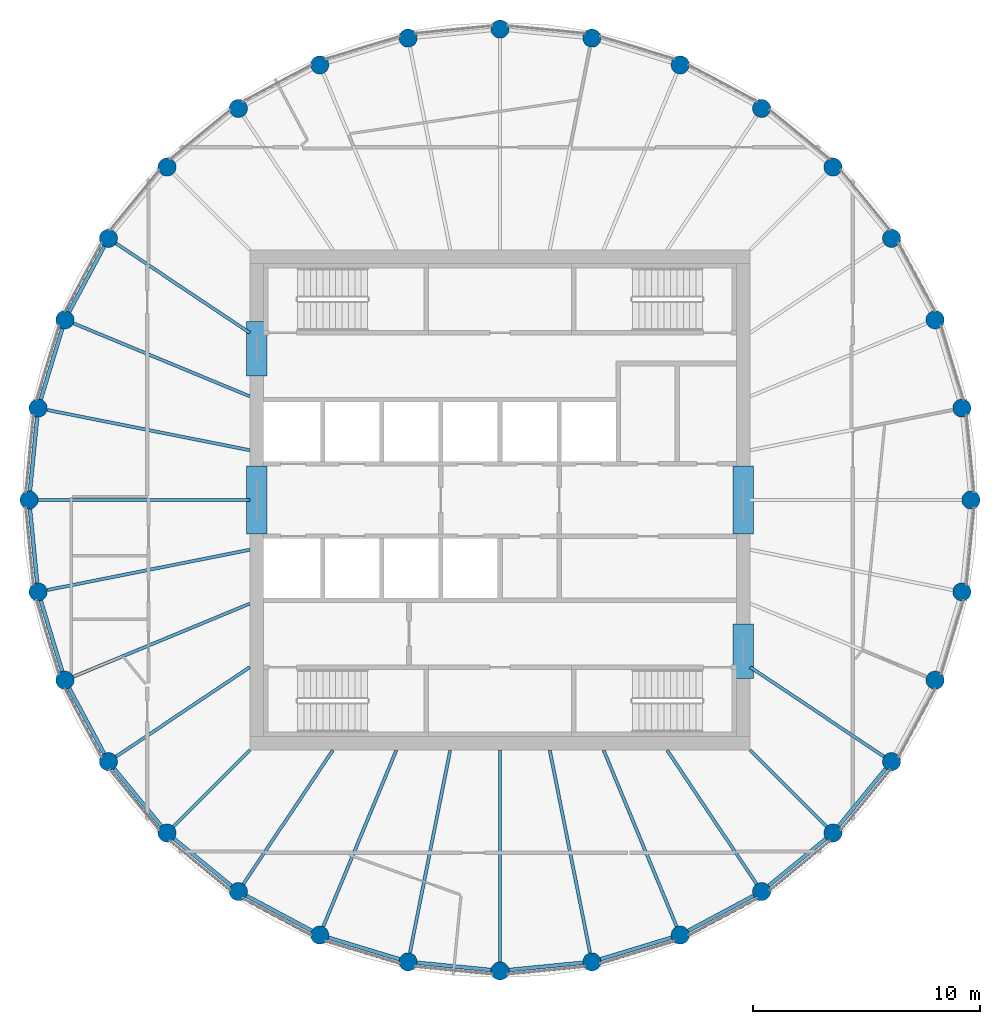
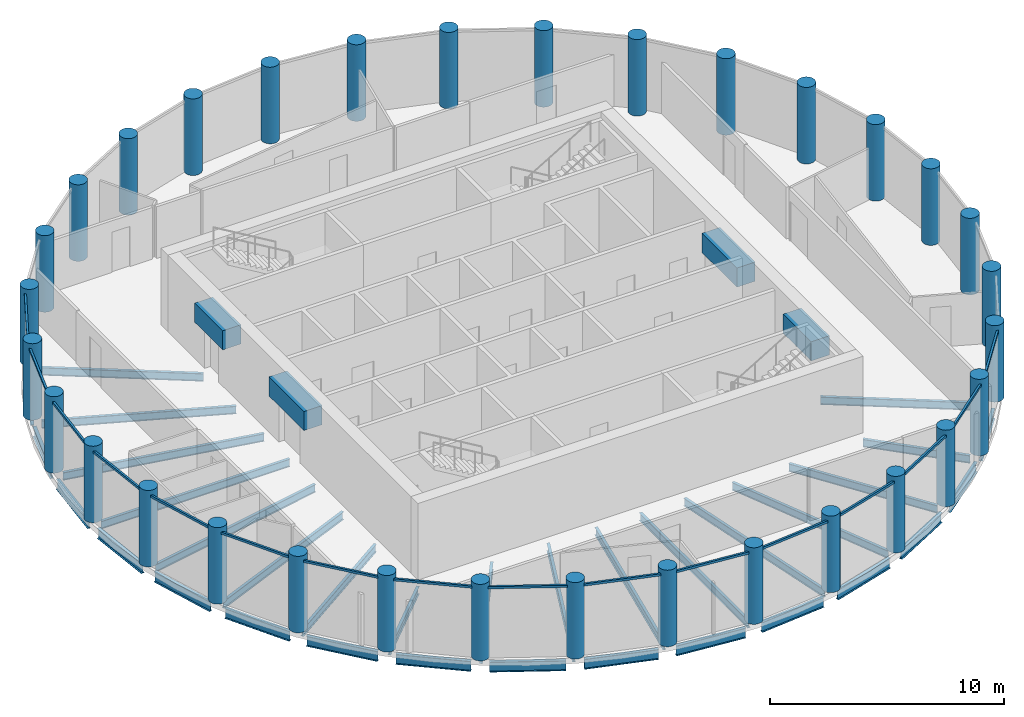
# One storey, part 1 of 7: 37 beams, 32 columns, 16 members, 16 elements without a shape of their own.
"""IFC4 building model written with IfcOpenShell, lengths in metres."""

from ifc_helpers import new_model, si_unit, direction, frame, origin, origin_2d, place, context, subcontext, project, spatial, rectangle, circle, i_section, extrude, material, material_profile, profile_set, type_object, element, aggregate, save


model = new_model("IFC4")

# Units and contexts
model_context = context("Model", 3, precision=1e-05, world=origin(), true_north=direction((0.0, 1.0)))
body_context = subcontext(model_context, "Body", "Model", "MODEL_VIEW")
ifc_project = project(units=[si_unit("LENGTHUNIT", "METRE"), si_unit("AREAUNIT", "SQUARE_METRE"), si_unit("VOLUMEUNIT", "CUBIC_METRE"), si_unit("PLANEANGLEUNIT", "RADIAN"), si_unit("MASSUNIT", "GRAM", prefix="KILO")], contexts=[model_context])

# Site, building, storey
site_placement = place(None, origin())
site = spatial("IfcSite", under=ifc_project, at=site_placement, CompositionType="ELEMENT")
building_placement = place(site_placement, origin())
building = spatial("IfcBuilding", under=site, at=building_placement, Name="Corvane Civic Tower", CompositionType="ELEMENT")
storey_placement = place(building_placement, frame((0.0, 0.0, 344.5)))
storey = spatial("IfcBuildingStorey", under=building, at=storey_placement, Name="L82", CompositionType="ELEMENT", Elevation=344.5)

# Columns
ifc_material_1 = material(Name="Concrete C60/75", Category="concrete")
ifc_material_profile_1 = material_profile(ifc_material_1, circle(Radius=0.39990234375, at=origin_2d()), Name="COLUMN 800")
ifc_profile_set_1 = profile_set([ifc_material_profile_1], Name="Concrete C60/75")
column_type = type_object("IfcColumnType", Name="RC COLUMN COLUMN 800", PredefinedType="COLUMN", material=ifc_profile_set_1)
for number, where, z_axis, x_axis, name in (
    (1, (0.0, 20.699951171875, 0.0), (0.0, 0.0, 1.0), (1.0, 0.0, 0.0), "COL-L82-F01"),
    (2, (4.038330078125, 20.30224609375, 0.0), (0.0, 0.0, 1.0), (1.0, 0.0, 0.0), "COL-L82-F02"),
    (3, (7.921630859375, 19.124267578125, 0.0), (0.0, 0.0, 1.0), (1.0, 0.0, 0.0), "COL-L82-F03"),
    (4, (11.500244140625, 17.21142578125, 0.0), (0.0, 0.0, 1.0), (1.0, 0.0, 0.0), "COL-L82-F04"),
    (5, (14.63720703125, 14.63720703125, 0.0), (0.0, 0.0, 1.0), (1.0, 0.0, 0.0), "COL-L82-F05"),
    (6, (17.21142578125, 11.500244140625, 0.0), (0.0, 0.0, 1.0), (1.0, 0.0, 0.0), "COL-L82-F06"),
    (7, (19.124267578125, 7.921630859375, 0.0), (0.0, 0.0, 1.0), (1.0, 0.0, 0.0), "COL-L82-F07"),
    (8, (20.30224609375, 4.038330078125, 0.0), (0.0, 0.0, 1.0), (1.0, 0.0, 0.0), "COL-L82-F08"),
    (9, (20.699951171875, 0.0, 0.0), (0.0, 0.0, 1.0), (1.0, 0.0, 0.0), "COL-L82-F09"),
    (10, (20.30224609375, -4.038330078125, 0.0), (0.0, 0.0, 1.0), (1.0, 0.0, 0.0), "COL-L82-F10"),
    (11, (19.124267578125, -7.921630859375, 0.0), (0.0, 0.0, 1.0), (1.0, 0.0, 0.0), "COL-L82-F11"),
    (12, (17.21142578125, -11.500244140625, 0.0), (0.0, 0.0, 1.0), (1.0, 0.0, 0.0), "COL-L82-F12"),
    (13, (14.63720703125, -14.63720703125, 0.0), (0.0, 0.0, 1.0), (1.0, 0.0, 0.0), "COL-L82-F13"),
    (14, (11.500244140625, -17.21142578125, 0.0), (0.0, 0.0, 1.0), (1.0, 0.0, 0.0), "COL-L82-F14"),
    (15, (7.921630859375, -19.124267578125, 0.0), (0.0, 0.0, 1.0), (1.0, 0.0, 0.0), "COL-L82-F15"),
    (16, (4.038330078125, -20.30224609375, 0.0), (0.0, 0.0, 1.0), (1.0, 0.0, 0.0), "COL-L82-F16"),
    (17, (0.0, -20.699951171875, 0.0), (0.0, 0.0, 1.0), (1.0, 0.0, 0.0), "COL-L82-F17"),
    (18, (-4.038330078125, -20.30224609375, 0.0), (0.0, 0.0, 1.0), (1.0, 0.0, 0.0), "COL-L82-F18"),
    (19, (-7.921630859375, -19.124267578125, 0.0), (0.0, 0.0, 1.0), (1.0, 0.0, 0.0), "COL-L82-F19"),
    (20, (-11.500244140625, -17.21142578125, 0.0), (0.0, 0.0, 1.0), (1.0, 0.0, 0.0), "COL-L82-F20"),
    (21, (-14.63720703125, -14.63720703125, 0.0), (0.0, 0.0, 1.0), (1.0, 0.0, 0.0), "COL-L82-F21"),
    (22, (-17.21142578125, -11.500244140625, 0.0), (0.0, 0.0, 1.0), (1.0, 0.0, 0.0), "COL-L82-F22"),
    (23, (-19.124267578125, -7.921630859375, 0.0), (0.0, 0.0, 1.0), (1.0, 0.0, 0.0), "COL-L82-F23"),
    (24, (-20.30224609375, -4.038330078125, 0.0), (0.0, 0.0, 1.0), (1.0, 0.0, 0.0), "COL-L82-F24"),
    (25, (-20.699951171875, 0.0, 0.0), (0.0, 0.0, 1.0), (1.0, 0.0, 0.0), "COL-L82-F25"),
    (26, (-20.30224609375, 4.038330078125, 0.0), (0.0, 0.0, 1.0), (1.0, 0.0, 0.0), "COL-L82-F26"),
    (27, (-19.124267578125, 7.921630859375, 0.0), (0.0, 0.0, 1.0), (1.0, 0.0, 0.0), "COL-L82-F27"),
    (28, (-17.21142578125, 11.500244140625, 0.0), (0.0, 0.0, 1.0), (1.0, 0.0, 0.0), "COL-L82-F28"),
    (29, (-14.63720703125, 14.63720703125, 0.0), (0.0, 0.0, 1.0), (1.0, 0.0, 0.0), "COL-L82-F29"),
    (30, (-11.500244140625, 17.21142578125, 0.0), (0.0, 0.0, 1.0), (1.0, 0.0, 0.0), "COL-L82-F30"),
    (31, (-7.921630859375, 19.124267578125, 0.0), (0.0, 0.0, 1.0), (1.0, 0.0, 0.0), "COL-L82-F31"),
    (32, (-4.038330078125, 20.30224609375, 0.0), (0.0, 0.0, 1.0), (1.0, 0.0, 0.0), "COL-L82-F32"),
):
    element("IfcColumn", number, at=place(storey_placement, frame(where, z_axis=z_axis, x_axis=x_axis)), inside=storey, type_object=column_type, Name=name, PredefinedType="COLUMN", context=body_context, shape_type="SweptSolid", body=[
        extrude(circle(Radius=0.39990234375, at=origin_2d()), origin(), (0.0, 0.0, 1.0), 4.0),
    ])

# Beams
ifc_material_2 = material(Name="Concrete C40/50", Category="concrete")
ifc_material_profile_2 = material_profile(ifc_material_2, rectangle(XDim=0.89990234375, YDim=1.0, at=origin_2d()), Name="COUPLING BEAM 900X1000")
ifc_profile_set_2 = profile_set([ifc_material_profile_2], Name="Concrete C40/50")
beam_type_1 = type_object("IfcBeamType", Name="COUPLING BEAM COUPLING BEAM 900X1000", PredefinedType="BEAM", material=ifc_profile_set_2)
for number, where, z_axis, x_axis, name in (
    (33, (-10.699951171875, -1.5, 2.60009765625), (0.0, 1.0, 0.0), (-1.0, 0.0, 0.0), "BM-L82-cpl-CW-LW"),
    (34, (10.699951171875, -1.5, 2.60009765625), (0.0, 1.0, 0.0), (-1.0, 0.0, 0.0), "BM-L82-cpl-CW-LE"),
):
    element("IfcBeam", number, at=place(storey_placement, frame(where, z_axis=z_axis, x_axis=x_axis)), inside=storey, type_object=beam_type_1, Name=name, PredefinedType="BEAM", context=body_context, shape_type="SweptSolid", body=[
        extrude(rectangle(XDim=0.89990234375, YDim=1.0, at=origin_2d()), origin(), (0.0, 0.0, 1.0), 3.0),
    ])
for number, where, z_axis, x_axis, name in (
    (35, (-10.699951171875, 5.449951171875, 2.60009765625), (0.0, 1.0, 0.0), (-1.0, 0.0, 0.0), "BM-L82-cpl-CW-WN"),
    (36, (10.699951171875, -7.85009765625, 2.60009765625), (0.0, 1.0, 0.0), (-1.0, 0.0, 0.0), "BM-L82-cpl-CW-ES"),
):
    element("IfcBeam", number, at=place(storey_placement, frame(where, z_axis=z_axis, x_axis=x_axis)), inside=storey, type_object=beam_type_1, Name=name, PredefinedType="BEAM", context=body_context, shape_type="SweptSolid", body=[
        extrude(rectangle(XDim=0.89990234375, YDim=1.0, at=origin_2d()), origin(), (0.0, 0.0, 1.0), 2.400146484375),
    ])
ifc_material_3 = material(Name="Steel ASTM A992 Gr 50", Category="steel")
ifc_material_profile_3 = material_profile(ifc_material_3, i_section(OverallWidth=0.165771484375, OverallDepth=0.5283203125, WebThickness=0.009765625, FlangeThickness=0.013671875, at=origin_2d()), Name="W21X50")
ifc_profile_set_3 = profile_set([ifc_material_profile_3], Name="Steel ASTM A992 Gr 50")
beam_type_2 = type_object("IfcBeamType", Name="EDGE BEAM W21X50", PredefinedType="BEAM", material=ifc_profile_set_3)
for number, where, z_axis, x_axis, name in (
    (37, (16.957763671875, -11.8095703125, -0.564208984375), (-0.634424551454, -0.772984791903, 0.0), (0.772984791903, -0.634424551454, 0.0), "BM-L82-E12"),
    (38, (14.327880859375, -14.890869140625, -0.564208984375), (-0.772984791903, -0.634424551454, 0.0), (0.634424551454, -0.772984791903, 0.0), "BM-L82-E13"),
    (39, (11.1474609375, -17.39990234375, -0.564208984375), (-0.881894065907, -0.471447618, 0.0), (0.471447618, -0.881894065907, 0.0), "BM-L82-E14"),
    (40, (7.538818359375, -19.240478515625, -0.564208984375), (-0.956955679349, -0.290234091317, 0.0), (0.290234091317, -0.956955679349, 0.0), "BM-L82-E15"),
):
    element("IfcBeam", number, at=place(storey_placement, frame(where, z_axis=z_axis, x_axis=x_axis)), inside=storey, type_object=beam_type_2, Name=name, PredefinedType="BEAM", context=body_context, shape_type="SweptSolid", body=[
        extrude(i_section(OverallWidth=0.165771484375, OverallDepth=0.5283203125, WebThickness=0.009765625, FlangeThickness=0.013671875, at=origin_2d()), origin(), (0.0, 0.0, 1.0), 3.2578125),
    ])
for number, where, z_axis, x_axis, name in (
    (41, (3.640380859375, -20.341552734375, -0.564208984375), (-0.995192503142, -0.097938152369, 0.0), (0.097938152369, -0.995192503142, 0.0), "BM-L82-E16"),
    (42, (-0.39794921875, -20.66064453125, -0.564208984375), (-0.995192503142, 0.097938152369, 0.0), (-0.097938152369, -0.995192503142, 0.0), "BM-L82-E17"),
):
    element("IfcBeam", number, at=place(storey_placement, frame(where, z_axis=z_axis, x_axis=x_axis)), inside=storey, type_object=beam_type_2, Name=name, PredefinedType="BEAM", context=body_context, shape_type="SweptSolid", body=[
        extrude(i_section(OverallWidth=0.165771484375, OverallDepth=0.5283203125, WebThickness=0.009765625, FlangeThickness=0.013671875, at=origin_2d()), origin(), (0.0, 0.0, 1.0), 3.258056640625),
    ])
for number, where, z_axis, x_axis, name in (
    (43, (-4.421142578125, -20.18603515625, -0.564208984375), (-0.956955679349, 0.290234091317, 0.0), (-0.290234091317, -0.956955679349, 0.0), "BM-L82-E18"),
    (44, (-8.2744140625, -18.935791015625, -0.564208984375), (-0.881894065907, 0.471447618, 0.0), (-0.471447618, -0.881894065907, 0.0), "BM-L82-E19"),
    (45, (-11.8095703125, -16.957763671875, -0.564208984375), (-0.772984791903, 0.634424551454, 0.0), (-0.634424551454, -0.772984791903, 0.0), "BM-L82-E20"),
    (46, (-14.890869140625, -14.327880859375, -0.564208984375), (-0.634424551454, 0.772984791903, 0.0), (-0.772984791903, -0.634424551454, 0.0), "BM-L82-E21"),
    (47, (-17.39990234375, -11.1474609375, -0.564208984375), (-0.471447618, 0.881894065907, 0.0), (-0.881894065907, -0.471447618, 0.0), "BM-L82-E22"),
    (48, (-19.240478515625, -7.538818359375, -0.564208984375), (-0.290234091317, 0.956955679349, 0.0), (-0.956955679349, -0.290234091317, 0.0), "BM-L82-E23"),
):
    element("IfcBeam", number, at=place(storey_placement, frame(where, z_axis=z_axis, x_axis=x_axis)), inside=storey, type_object=beam_type_2, Name=name, PredefinedType="BEAM", context=body_context, shape_type="SweptSolid", body=[
        extrude(i_section(OverallWidth=0.165771484375, OverallDepth=0.5283203125, WebThickness=0.009765625, FlangeThickness=0.013671875, at=origin_2d()), origin(), (0.0, 0.0, 1.0), 3.2578125),
    ])
for number, where, z_axis, x_axis, name in (
    (49, (-20.341552734375, -3.640380859375, -0.564208984375), (-0.097938152369, 0.995192503142, 0.0), (-0.995192503142, -0.097938152369, 0.0), "BM-L82-E24"),
    (50, (-20.66064453125, 0.39794921875, -0.564208984375), (0.097938152369, 0.995192503142, 0.0), (-0.995192503142, 0.097938152369, 0.0), "BM-L82-E25"),
):
    element("IfcBeam", number, at=place(storey_placement, frame(where, z_axis=z_axis, x_axis=x_axis)), inside=storey, type_object=beam_type_2, Name=name, PredefinedType="BEAM", context=body_context, shape_type="SweptSolid", body=[
        extrude(i_section(OverallWidth=0.165771484375, OverallDepth=0.5283203125, WebThickness=0.009765625, FlangeThickness=0.013671875, at=origin_2d()), origin(), (0.0, 0.0, 1.0), 3.258056640625),
    ])
for number, where, z_axis, x_axis, name in (
    (51, (-20.18603515625, 4.421142578125, -0.564208984375), (0.290234091317, 0.956955679349, 0.0), (-0.956955679349, 0.290234091317, 0.0), "BM-L82-E26"),
    (52, (-18.935791015625, 8.2744140625, -0.564208984375), (0.471447618, 0.881894065907, 0.0), (-0.881894065907, 0.471447618, 0.0), "BM-L82-E27"),
):
    element("IfcBeam", number, at=place(storey_placement, frame(where, z_axis=z_axis, x_axis=x_axis)), inside=storey, type_object=beam_type_2, Name=name, PredefinedType="BEAM", context=body_context, shape_type="SweptSolid", body=[
        extrude(i_section(OverallWidth=0.165771484375, OverallDepth=0.5283203125, WebThickness=0.009765625, FlangeThickness=0.013671875, at=origin_2d()), origin(), (0.0, 0.0, 1.0), 3.2578125),
    ])
ifc_material_4 = material(Name="Steel ASTM A992 Gr 50", Category="steel")
ifc_material_profile_4 = material_profile(ifc_material_4, i_section(OverallWidth=0.140380859375, OverallDepth=0.40380859375, WebThickness=0.007080078125, FlangeThickness=0.01123046875, at=origin_2d()), Name="W16X31")
ifc_profile_set_4 = profile_set([ifc_material_profile_4], Name="Steel ASTM A992 Gr 50")
beam_type_3 = type_object("IfcBeamType", Name="FLOOR GIRDER W16X31", PredefinedType="BEAM", material=ifc_profile_set_4)
beam_1_placement = place(storey_placement, frame((11.0, -7.349853515625, -0.501953125), z_axis=(0.831465490699, -0.555576401385, 0.0), x_axis=(0.555576401385, 0.831465490699, 0.0)))
element("IfcBeam", 53, at=beam_1_placement, inside=storey, type_object=beam_type_3, Name="BM-L82-G12", PredefinedType="BEAM", context=body_context, shape_type="SweptSolid", body=[
    extrude(i_section(OverallWidth=0.140380859375, OverallDepth=0.40380859375, WebThickness=0.007080078125, FlangeThickness=0.01123046875, at=origin_2d()), origin(), (0.0, 0.0, 1.0), 7.070556640625),
])
beam_2_placement = place(storey_placement, frame((11.0, -11.0, -0.501953125), z_axis=(0.707106781187, -0.707106781187, 0.0), x_axis=(0.707106781187, 0.707106781187, 0.0)))
element("IfcBeam", 54, at=beam_2_placement, inside=storey, type_object=beam_type_3, Name="BM-L82-G13", PredefinedType="BEAM", context=body_context, shape_type="SweptSolid", body=[
    extrude(i_section(OverallWidth=0.140380859375, OverallDepth=0.40380859375, WebThickness=0.007080078125, FlangeThickness=0.01123046875, at=origin_2d()), origin(), (0.0, 0.0, 1.0), 4.74365234375),
])
beam_3_placement = place(storey_placement, frame((7.349853515625, -11.0, -0.501953125), z_axis=(0.555576401385, -0.831465490699, 0.0), x_axis=(0.831465490699, 0.555576401385, 0.0)))
element("IfcBeam", 55, at=beam_3_placement, inside=storey, type_object=beam_type_3, Name="BM-L82-G14", PredefinedType="BEAM", context=body_context, shape_type="SweptSolid", body=[
    extrude(i_section(OverallWidth=0.140380859375, OverallDepth=0.40380859375, WebThickness=0.007080078125, FlangeThickness=0.01123046875, at=origin_2d()), origin(), (0.0, 0.0, 1.0), 7.070556640625),
])
beam_4_placement = place(storey_placement, frame((4.556396484375, -11.0, -0.501953125), z_axis=(0.382691739894, -0.923876091377, 0.0), x_axis=(0.923876091377, 0.382691739894, 0.0)))
element("IfcBeam", 56, at=beam_4_placement, inside=storey, type_object=beam_type_3, Name="BM-L82-G15", PredefinedType="BEAM", context=body_context, shape_type="SweptSolid", body=[
    extrude(i_section(OverallWidth=0.140380859375, OverallDepth=0.40380859375, WebThickness=0.007080078125, FlangeThickness=0.01123046875, at=origin_2d()), origin(), (0.0, 0.0, 1.0), 8.3935546875),
])
beam_5_placement = place(storey_placement, frame((2.18798828125, -11.0, -0.501953125), z_axis=(0.195108241061, -0.980781715913, 0.0), x_axis=(0.980781715913, 0.195108241061, 0.0)))
element("IfcBeam", 57, at=beam_5_placement, inside=storey, type_object=beam_type_3, Name="BM-L82-G16", PredefinedType="BEAM", context=body_context, shape_type="SweptSolid", body=[
    extrude(i_section(OverallWidth=0.140380859375, OverallDepth=0.40380859375, WebThickness=0.007080078125, FlangeThickness=0.01123046875, at=origin_2d()), origin(), (0.0, 0.0, 1.0), 9.08447265625),
])
beam_6_placement = place(storey_placement, frame((0.0, -11.0, -0.501953125), z_axis=(0.0, -1.0, 0.0), x_axis=(1.0, 0.0, 0.0)))
element("IfcBeam", 58, at=beam_6_placement, inside=storey, type_object=beam_type_3, Name="BM-L82-G17", PredefinedType="BEAM", context=body_context, shape_type="SweptSolid", body=[
    extrude(i_section(OverallWidth=0.140380859375, OverallDepth=0.40380859375, WebThickness=0.007080078125, FlangeThickness=0.01123046875, at=origin_2d()), origin(), (0.0, 0.0, 1.0), 9.300048828125),
])
beam_7_placement = place(storey_placement, frame((-2.18798828125, -11.0, -0.501953125), z_axis=(-0.195108241061, -0.980781715913, 0.0), x_axis=(0.980781715913, -0.195108241061, 0.0)))
element("IfcBeam", 59, at=beam_7_placement, inside=storey, type_object=beam_type_3, Name="BM-L82-G18", PredefinedType="BEAM", context=body_context, shape_type="SweptSolid", body=[
    extrude(i_section(OverallWidth=0.140380859375, OverallDepth=0.40380859375, WebThickness=0.007080078125, FlangeThickness=0.01123046875, at=origin_2d()), origin(), (0.0, 0.0, 1.0), 9.08447265625),
])
beam_8_placement = place(storey_placement, frame((-4.556396484375, -11.0, -0.501953125), z_axis=(-0.382691739894, -0.923876091377, 0.0), x_axis=(0.923876091377, -0.382691739894, 0.0)))
element("IfcBeam", 60, at=beam_8_placement, inside=storey, type_object=beam_type_3, Name="BM-L82-G19", PredefinedType="BEAM", context=body_context, shape_type="SweptSolid", body=[
    extrude(i_section(OverallWidth=0.140380859375, OverallDepth=0.40380859375, WebThickness=0.007080078125, FlangeThickness=0.01123046875, at=origin_2d()), origin(), (0.0, 0.0, 1.0), 8.3935546875),
])
beam_9_placement = place(storey_placement, frame((-7.349853515625, -11.0, -0.501953125), z_axis=(-0.555576401385, -0.831465490699, 0.0), x_axis=(0.831465490699, -0.555576401385, 0.0)))
element("IfcBeam", 61, at=beam_9_placement, inside=storey, type_object=beam_type_3, Name="BM-L82-G20", PredefinedType="BEAM", context=body_context, shape_type="SweptSolid", body=[
    extrude(i_section(OverallWidth=0.140380859375, OverallDepth=0.40380859375, WebThickness=0.007080078125, FlangeThickness=0.01123046875, at=origin_2d()), origin(), (0.0, 0.0, 1.0), 7.070556640625),
])
beam_10_placement = place(storey_placement, frame((-11.0, -11.0, -0.501953125), z_axis=(-0.707106781187, -0.707106781187, 0.0), x_axis=(0.707106781187, -0.707106781187, 0.0)))
element("IfcBeam", 62, at=beam_10_placement, inside=storey, type_object=beam_type_3, Name="BM-L82-G21", PredefinedType="BEAM", context=body_context, shape_type="SweptSolid", body=[
    extrude(i_section(OverallWidth=0.140380859375, OverallDepth=0.40380859375, WebThickness=0.007080078125, FlangeThickness=0.01123046875, at=origin_2d()), origin(), (0.0, 0.0, 1.0), 4.74365234375),
])
beam_11_placement = place(storey_placement, frame((-11.0, -7.349853515625, -0.501953125), z_axis=(-0.831465490699, -0.555576401385, 0.0), x_axis=(0.555576401385, -0.831465490699, 0.0)))
element("IfcBeam", 63, at=beam_11_placement, inside=storey, type_object=beam_type_3, Name="BM-L82-G22", PredefinedType="BEAM", context=body_context, shape_type="SweptSolid", body=[
    extrude(i_section(OverallWidth=0.140380859375, OverallDepth=0.40380859375, WebThickness=0.007080078125, FlangeThickness=0.01123046875, at=origin_2d()), origin(), (0.0, 0.0, 1.0), 7.070556640625),
])
beam_12_placement = place(storey_placement, frame((-11.0, -4.556396484375, -0.501953125), z_axis=(-0.923876091377, -0.382691739894, 0.0), x_axis=(0.382691739894, -0.923876091377, 0.0)))
element("IfcBeam", 64, at=beam_12_placement, inside=storey, type_object=beam_type_3, Name="BM-L82-G23", PredefinedType="BEAM", context=body_context, shape_type="SweptSolid", body=[
    extrude(i_section(OverallWidth=0.140380859375, OverallDepth=0.40380859375, WebThickness=0.007080078125, FlangeThickness=0.01123046875, at=origin_2d()), origin(), (0.0, 0.0, 1.0), 8.3935546875),
])
beam_13_placement = place(storey_placement, frame((-11.0, -2.18798828125, -0.501953125), z_axis=(-0.980781715913, -0.195108241061, 0.0), x_axis=(0.195108241061, -0.980781715913, 0.0)))
element("IfcBeam", 65, at=beam_13_placement, inside=storey, type_object=beam_type_3, Name="BM-L82-G24", PredefinedType="BEAM", context=body_context, shape_type="SweptSolid", body=[
    extrude(i_section(OverallWidth=0.140380859375, OverallDepth=0.40380859375, WebThickness=0.007080078125, FlangeThickness=0.01123046875, at=origin_2d()), origin(), (0.0, 0.0, 1.0), 9.08447265625),
])
beam_14_placement = place(storey_placement, frame((-11.0, 0.0, -0.501953125), z_axis=(-1.0, 0.0, 0.0), x_axis=(0.0, -1.0, 0.0)))
element("IfcBeam", 66, at=beam_14_placement, inside=storey, type_object=beam_type_3, Name="BM-L82-G25", PredefinedType="BEAM", context=body_context, shape_type="SweptSolid", body=[
    extrude(i_section(OverallWidth=0.140380859375, OverallDepth=0.40380859375, WebThickness=0.007080078125, FlangeThickness=0.01123046875, at=origin_2d()), origin(), (0.0, 0.0, 1.0), 9.300048828125),
])
beam_15_placement = place(storey_placement, frame((-11.0, 2.18798828125, -0.501953125), z_axis=(-0.980781715913, 0.195108241061, 0.0), x_axis=(-0.195108241061, -0.980781715913, 0.0)))
element("IfcBeam", 67, at=beam_15_placement, inside=storey, type_object=beam_type_3, Name="BM-L82-G26", PredefinedType="BEAM", context=body_context, shape_type="SweptSolid", body=[
    extrude(i_section(OverallWidth=0.140380859375, OverallDepth=0.40380859375, WebThickness=0.007080078125, FlangeThickness=0.01123046875, at=origin_2d()), origin(), (0.0, 0.0, 1.0), 9.08447265625),
])
beam_16_placement = place(storey_placement, frame((-11.0, 4.556396484375, -0.501953125), z_axis=(-0.923876091377, 0.382691739894, 0.0), x_axis=(-0.382691739894, -0.923876091377, 0.0)))
element("IfcBeam", 68, at=beam_16_placement, inside=storey, type_object=beam_type_3, Name="BM-L82-G27", PredefinedType="BEAM", context=body_context, shape_type="SweptSolid", body=[
    extrude(i_section(OverallWidth=0.140380859375, OverallDepth=0.40380859375, WebThickness=0.007080078125, FlangeThickness=0.01123046875, at=origin_2d()), origin(), (0.0, 0.0, 1.0), 8.3935546875),
])
beam_17_placement = place(storey_placement, frame((-11.0, 7.349853515625, -0.501953125), z_axis=(-0.831465490699, 0.555576401385, 0.0), x_axis=(-0.555576401385, -0.831465490699, 0.0)))
element("IfcBeam", 69, at=beam_17_placement, inside=storey, type_object=beam_type_3, Name="BM-L82-G28", PredefinedType="BEAM", context=body_context, shape_type="SweptSolid", body=[
    extrude(i_section(OverallWidth=0.140380859375, OverallDepth=0.40380859375, WebThickness=0.007080078125, FlangeThickness=0.01123046875, at=origin_2d()), origin(), (0.0, 0.0, 1.0), 7.070556640625),
])

# Curtain wall, member
ifc_material_5 = material(Name="Anodised aluminium bronze", Category="aluminium")
curtain_wall_type = type_object("IfcCurtainWallType", Name="TOWER CW-T3 STICK CURTAIN WALL", PredefinedType="NOTDEFINED", material=ifc_material_5)
curtain_wall_1_placement = place(storey_placement, origin())
curtain_wall_1 = element("IfcCurtainWall", 70, at=curtain_wall_1_placement, inside=storey, type_object=curtain_wall_type, Name="Curtain wall CW-T3 L82 bay 12", PredefinedType="NOTDEFINED")
ifc_material_6 = material(Name="Anodised aluminium bronze", Category="aluminium")
ifc_material_profile_5 = material_profile(ifc_material_6, rectangle(XDim=0.10009765625, YDim=0.1201171875, at=origin_2d()), Name="TOWER CW-T3 TRANSOM 100x120")
ifc_profile_set_5 = profile_set([ifc_material_profile_5], Name="Anodised aluminium bronze")
member_type = type_object("IfcMemberType", Name="TOWER CW-T3 TRANSOM 100x120", PredefinedType="USERDEFINED", material=ifc_profile_set_5)
member_1_placement = place(storey_placement, frame((17.14208984375, -11.8671875, 3.68994140625), z_axis=(-0.634393571736, -0.773010217358, 0.0), x_axis=(0.773010217358, -0.634393571736, 0.0)))
member_1 = element("IfcMember", 71, at=member_1_placement, type_object=member_type, Name="Transom CW-T3 L82 12.1", ObjectType="TRANSOM", PredefinedType="USERDEFINED", context=body_context, shape_type="SweptSolid", body=[
    extrude(rectangle(XDim=0.10009765625, YDim=0.1201171875, at=origin_2d()), origin(), (0.0, 0.0, 1.0), 3.40283203125),
])
aggregate(curtain_wall_1, [member_1])

curtain_wall_2_placement = place(storey_placement, origin())
curtain_wall_2 = element("IfcCurtainWall", 72, at=curtain_wall_2_placement, inside=storey, type_object=curtain_wall_type, Name="Curtain wall CW-T3 L82 bay 13", PredefinedType="NOTDEFINED")
member_2_placement = place(storey_placement, frame((14.49755859375, -14.9833984375, 3.68994140625), z_axis=(-0.773010217358, -0.634393571736, 0.0), x_axis=(0.634393571736, -0.773010217358, 0.0)))
member_2 = element("IfcMember", 73, at=member_2_placement, type_object=member_type, Name="Transom CW-T3 L82 13.1", ObjectType="TRANSOM", PredefinedType="USERDEFINED", context=body_context, shape_type="SweptSolid", body=[
    extrude(rectangle(XDim=0.10009765625, YDim=0.1201171875, at=origin_2d()), origin(), (0.0, 0.0, 1.0), 3.40283203125),
])
aggregate(curtain_wall_2, [member_2])

curtain_wall_3_placement = place(storey_placement, origin())
curtain_wall_3 = element("IfcCurtainWall", 74, at=curtain_wall_3_placement, inside=storey, type_object=curtain_wall_type, Name="Curtain wall CW-T3 L82 bay 14", PredefinedType="NOTDEFINED")
member_3_placement = place(storey_placement, frame((11.295654296875, -17.52392578125, 3.68994140625), z_axis=(-0.881941440444, -0.471358988063, 0.0), x_axis=(0.471358988063, -0.881941440444, 0.0)))
member_3 = element("IfcMember", 75, at=member_3_placement, type_object=member_type, Name="Transom CW-T3 L82 14.1", ObjectType="TRANSOM", PredefinedType="USERDEFINED", context=body_context, shape_type="SweptSolid", body=[
    extrude(rectangle(XDim=0.10009765625, YDim=0.1201171875, at=origin_2d()), origin(), (0.0, 0.0, 1.0), 3.40234375),
])
aggregate(curtain_wall_3, [member_3])

curtain_wall_4_placement = place(storey_placement, origin())
curtain_wall_4 = element("IfcCurtainWall", 76, at=curtain_wall_4_placement, inside=storey, type_object=curtain_wall_type, Name="Curtain wall CW-T3 L82 bay 15", PredefinedType="NOTDEFINED")
member_4_placement = place(storey_placement, frame((7.66015625, -19.390869140625, 3.68994140625), z_axis=(-0.956961022204, -0.290216474345, 0.0), x_axis=(0.290216474345, -0.956961022204, 0.0)))
member_4 = element("IfcMember", 77, at=member_4_placement, type_object=member_type, Name="Transom CW-T3 L82 15.1", ObjectType="TRANSOM", PredefinedType="USERDEFINED", context=body_context, shape_type="SweptSolid", body=[
    extrude(rectangle(XDim=0.10009765625, YDim=0.1201171875, at=origin_2d()), origin(), (0.0, 0.0, 1.0), 3.40283203125),
])
aggregate(curtain_wall_4, [member_4])

curtain_wall_5_placement = place(storey_placement, origin())
curtain_wall_5 = element("IfcCurtainWall", 78, at=curtain_wall_5_placement, inside=storey, type_object=curtain_wall_type, Name="Curtain wall CW-T3 L82 bay 16", PredefinedType="NOTDEFINED")
member_5_placement = place(storey_placement, frame((3.729736328125, -20.5126953125, 3.68994140625), z_axis=(-0.995191564676, -0.097947688066, 0.0), x_axis=(0.097947688066, -0.995191564676, 0.0)))
member_5 = element("IfcMember", 79, at=member_5_placement, type_object=member_type, Name="Transom CW-T3 L82 16.1", ObjectType="TRANSOM", PredefinedType="USERDEFINED", context=body_context, shape_type="SweptSolid", body=[
    extrude(rectangle(XDim=0.10009765625, YDim=0.1201171875, at=origin_2d()), origin(), (0.0, 0.0, 1.0), 3.40234375),
])
aggregate(curtain_wall_5, [member_5])

curtain_wall_6_placement = place(storey_placement, origin())
curtain_wall_6 = element("IfcCurtainWall", 80, at=curtain_wall_6_placement, inside=storey, type_object=curtain_wall_type, Name="Curtain wall CW-T3 L82 bay 17", PredefinedType="NOTDEFINED")
member_6_placement = place(storey_placement, frame((-0.34375, -20.845947265625, 3.68994140625), z_axis=(-0.995191564676, 0.097947688066, 0.0), x_axis=(-0.097947688066, -0.995191564676, 0.0)))
member_6 = element("IfcMember", 81, at=member_6_placement, type_object=member_type, Name="Transom CW-T3 L82 17.1", ObjectType="TRANSOM", PredefinedType="USERDEFINED", context=body_context, shape_type="SweptSolid", body=[
    extrude(rectangle(XDim=0.10009765625, YDim=0.1201171875, at=origin_2d()), origin(), (0.0, 0.0, 1.0), 3.40234375),
])
aggregate(curtain_wall_6, [member_6])

curtain_wall_7_placement = place(storey_placement, origin())
curtain_wall_7 = element("IfcCurtainWall", 82, at=curtain_wall_7_placement, inside=storey, type_object=curtain_wall_type, Name="Curtain wall CW-T3 L82 bay 18", PredefinedType="NOTDEFINED")
member_7_placement = place(storey_placement, frame((-4.40380859375, -20.37841796875, 3.68994140625), z_axis=(-0.956961022204, 0.290216474345, 0.0), x_axis=(-0.290216474345, -0.956961022204, 0.0)))
member_7 = element("IfcMember", 83, at=member_7_placement, type_object=member_type, Name="Transom CW-T3 L82 18.1", ObjectType="TRANSOM", PredefinedType="USERDEFINED", context=body_context, shape_type="SweptSolid", body=[
    extrude(rectangle(XDim=0.10009765625, YDim=0.1201171875, at=origin_2d()), origin(), (0.0, 0.0, 1.0), 3.40283203125),
])
aggregate(curtain_wall_7, [member_7])

curtain_wall_8_placement = place(storey_placement, origin())
curtain_wall_8 = element("IfcCurtainWall", 84, at=curtain_wall_8_placement, inside=storey, type_object=curtain_wall_type, Name="Curtain wall CW-T3 L82 bay 19", PredefinedType="NOTDEFINED")
member_8_placement = place(storey_placement, frame((-8.294921875, -19.127685546875, 3.68994140625), z_axis=(-0.881941440444, 0.471358988063, 0.0), x_axis=(-0.471358988063, -0.881941440444, 0.0)))
member_8 = element("IfcMember", 85, at=member_8_placement, type_object=member_type, Name="Transom CW-T3 L82 19.1", ObjectType="TRANSOM", PredefinedType="USERDEFINED", context=body_context, shape_type="SweptSolid", body=[
    extrude(rectangle(XDim=0.10009765625, YDim=0.1201171875, at=origin_2d()), origin(), (0.0, 0.0, 1.0), 3.40234375),
])
aggregate(curtain_wall_8, [member_8])

curtain_wall_9_placement = place(storey_placement, origin())
curtain_wall_9 = element("IfcCurtainWall", 86, at=curtain_wall_9_placement, inside=storey, type_object=curtain_wall_type, Name="Curtain wall CW-T3 L82 bay 20", PredefinedType="NOTDEFINED")
member_9_placement = place(storey_placement, frame((-11.8671875, -17.14208984375, 3.68994140625), z_axis=(-0.773010217358, 0.634393571736, 0.0), x_axis=(-0.634393571736, -0.773010217358, 0.0)))
member_9 = element("IfcMember", 87, at=member_9_placement, type_object=member_type, Name="Transom CW-T3 L82 20.1", ObjectType="TRANSOM", PredefinedType="USERDEFINED", context=body_context, shape_type="SweptSolid", body=[
    extrude(rectangle(XDim=0.10009765625, YDim=0.1201171875, at=origin_2d()), origin(), (0.0, 0.0, 1.0), 3.40283203125),
])
aggregate(curtain_wall_9, [member_9])

curtain_wall_10_placement = place(storey_placement, origin())
curtain_wall_10 = element("IfcCurtainWall", 88, at=curtain_wall_10_placement, inside=storey, type_object=curtain_wall_type, Name="Curtain wall CW-T3 L82 bay 21", PredefinedType="NOTDEFINED")
member_10_placement = place(storey_placement, frame((-14.9833984375, -14.49755859375, 3.68994140625), z_axis=(-0.634393571736, 0.773010217358, 0.0), x_axis=(-0.773010217358, -0.634393571736, 0.0)))
member_10 = element("IfcMember", 89, at=member_10_placement, type_object=member_type, Name="Transom CW-T3 L82 21.1", ObjectType="TRANSOM", PredefinedType="USERDEFINED", context=body_context, shape_type="SweptSolid", body=[
    extrude(rectangle(XDim=0.10009765625, YDim=0.1201171875, at=origin_2d()), origin(), (0.0, 0.0, 1.0), 3.40283203125),
])
aggregate(curtain_wall_10, [member_10])

curtain_wall_11_placement = place(storey_placement, origin())
curtain_wall_11 = element("IfcCurtainWall", 90, at=curtain_wall_11_placement, inside=storey, type_object=curtain_wall_type, Name="Curtain wall CW-T3 L82 bay 22", PredefinedType="NOTDEFINED")
member_11_placement = place(storey_placement, frame((-17.52392578125, -11.295654296875, 3.68994140625), z_axis=(-0.471358988063, 0.881941440444, 0.0), x_axis=(-0.881941440444, -0.471358988063, 0.0)))
member_11 = element("IfcMember", 91, at=member_11_placement, type_object=member_type, Name="Transom CW-T3 L82 22.1", ObjectType="TRANSOM", PredefinedType="USERDEFINED", context=body_context, shape_type="SweptSolid", body=[
    extrude(rectangle(XDim=0.10009765625, YDim=0.1201171875, at=origin_2d()), origin(), (0.0, 0.0, 1.0), 3.40234375),
])
aggregate(curtain_wall_11, [member_11])

curtain_wall_12_placement = place(storey_placement, origin())
curtain_wall_12 = element("IfcCurtainWall", 92, at=curtain_wall_12_placement, inside=storey, type_object=curtain_wall_type, Name="Curtain wall CW-T3 L82 bay 23", PredefinedType="NOTDEFINED")
member_12_placement = place(storey_placement, frame((-19.390869140625, -7.66015625, 3.68994140625), z_axis=(-0.290216474345, 0.956961022204, 0.0), x_axis=(-0.956961022204, -0.290216474345, 0.0)))
member_12 = element("IfcMember", 93, at=member_12_placement, type_object=member_type, Name="Transom CW-T3 L82 23.1", ObjectType="TRANSOM", PredefinedType="USERDEFINED", context=body_context, shape_type="SweptSolid", body=[
    extrude(rectangle(XDim=0.10009765625, YDim=0.1201171875, at=origin_2d()), origin(), (0.0, 0.0, 1.0), 3.40283203125),
])
aggregate(curtain_wall_12, [member_12])

curtain_wall_13_placement = place(storey_placement, origin())
curtain_wall_13 = element("IfcCurtainWall", 94, at=curtain_wall_13_placement, inside=storey, type_object=curtain_wall_type, Name="Curtain wall CW-T3 L82 bay 24", PredefinedType="NOTDEFINED")
member_13_placement = place(storey_placement, frame((-20.5126953125, -3.729736328125, 3.68994140625), z_axis=(-0.097947688066, 0.995191564676, 0.0), x_axis=(-0.995191564676, -0.097947688066, 0.0)))
member_13 = element("IfcMember", 95, at=member_13_placement, type_object=member_type, Name="Transom CW-T3 L82 24.1", ObjectType="TRANSOM", PredefinedType="USERDEFINED", context=body_context, shape_type="SweptSolid", body=[
    extrude(rectangle(XDim=0.10009765625, YDim=0.1201171875, at=origin_2d()), origin(), (0.0, 0.0, 1.0), 3.40234375),
])
aggregate(curtain_wall_13, [member_13])

curtain_wall_14_placement = place(storey_placement, origin())
curtain_wall_14 = element("IfcCurtainWall", 96, at=curtain_wall_14_placement, inside=storey, type_object=curtain_wall_type, Name="Curtain wall CW-T3 L82 bay 25", PredefinedType="NOTDEFINED")
member_14_placement = place(storey_placement, frame((-20.845947265625, 0.34375, 3.68994140625), z_axis=(0.097947688066, 0.995191564676, 0.0), x_axis=(-0.995191564676, 0.097947688066, 0.0)))
member_14 = element("IfcMember", 97, at=member_14_placement, type_object=member_type, Name="Transom CW-T3 L82 25.1", ObjectType="TRANSOM", PredefinedType="USERDEFINED", context=body_context, shape_type="SweptSolid", body=[
    extrude(rectangle(XDim=0.10009765625, YDim=0.1201171875, at=origin_2d()), origin(), (0.0, 0.0, 1.0), 3.40234375),
])
aggregate(curtain_wall_14, [member_14])

curtain_wall_15_placement = place(storey_placement, origin())
curtain_wall_15 = element("IfcCurtainWall", 98, at=curtain_wall_15_placement, inside=storey, type_object=curtain_wall_type, Name="Curtain wall CW-T3 L82 bay 26", PredefinedType="NOTDEFINED")
member_15_placement = place(storey_placement, frame((-20.37841796875, 4.40380859375, 3.68994140625), z_axis=(0.290216474345, 0.956961022204, 0.0), x_axis=(-0.956961022204, 0.290216474345, 0.0)))
member_15 = element("IfcMember", 99, at=member_15_placement, type_object=member_type, Name="Transom CW-T3 L82 26.1", ObjectType="TRANSOM", PredefinedType="USERDEFINED", context=body_context, shape_type="SweptSolid", body=[
    extrude(rectangle(XDim=0.10009765625, YDim=0.1201171875, at=origin_2d()), origin(), (0.0, 0.0, 1.0), 3.40283203125),
])
aggregate(curtain_wall_15, [member_15])

curtain_wall_16_placement = place(storey_placement, origin())
curtain_wall_16 = element("IfcCurtainWall", 100, at=curtain_wall_16_placement, inside=storey, type_object=curtain_wall_type, Name="Curtain wall CW-T3 L82 bay 27", PredefinedType="NOTDEFINED")
member_16_placement = place(storey_placement, frame((-19.127685546875, 8.294921875, 3.68994140625), z_axis=(0.471358988063, 0.881941440444, 0.0), x_axis=(-0.881941440444, 0.471358988063, 0.0)))
member_16 = element("IfcMember", 101, at=member_16_placement, type_object=member_type, Name="Transom CW-T3 L82 27.1", ObjectType="TRANSOM", PredefinedType="USERDEFINED", context=body_context, shape_type="SweptSolid", body=[
    extrude(rectangle(XDim=0.10009765625, YDim=0.1201171875, at=origin_2d()), origin(), (0.0, 0.0, 1.0), 3.40234375),
])
aggregate(curtain_wall_16, [member_16])

save(model, "model.ifc")
